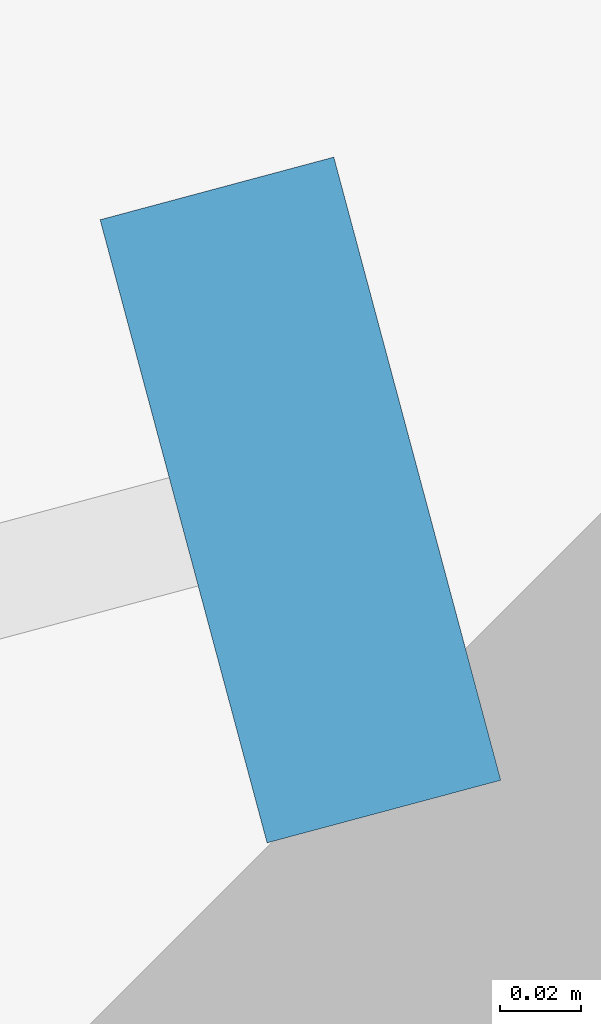
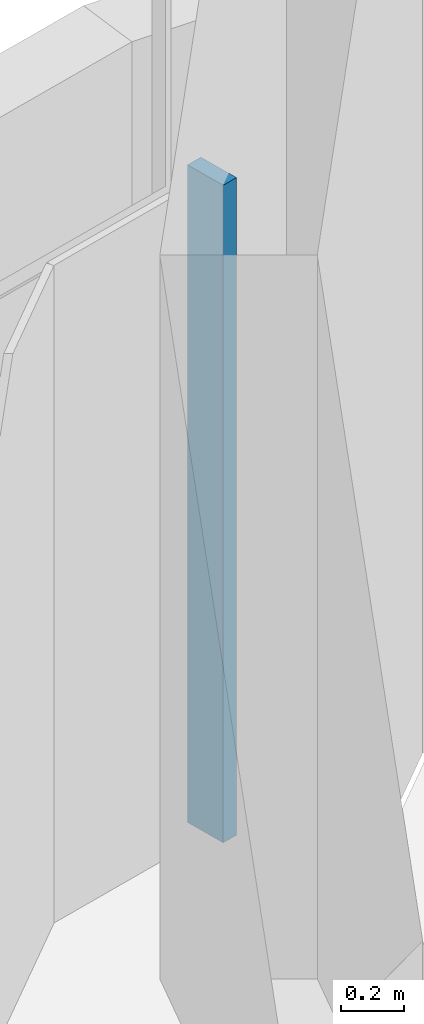
# One storey, part 4 of 12: 1 member, 1 element without a shape of its own.
"""IFC4 building model written with IfcOpenShell, lengths in metres."""

from ifc_helpers import new_model, si_unit, direction, frame, origin, place, context, subcontext, project, spatial, polyline, outline, extrude, source, transform, mapped, material, type_object, element, aggregate, save


model = new_model("IFC4")

# Units and contexts
model_context = context("Model", 3, precision=1e-05, world=origin(), true_north=direction((0.0, 1.0)))
body_context = subcontext(model_context, "Body", "Model", "MODEL_VIEW")
ifc_project = project(units=[si_unit("LENGTHUNIT", "METRE"), si_unit("AREAUNIT", "SQUARE_METRE"), si_unit("VOLUMEUNIT", "CUBIC_METRE"), si_unit("PLANEANGLEUNIT", "RADIAN"), si_unit("MASSUNIT", "GRAM", prefix="KILO")], contexts=[model_context])

# Site, building, storey
site_placement = place(None, origin())
site = spatial("IfcSite", under=ifc_project, at=site_placement, CompositionType="ELEMENT")
building_placement = place(site_placement, origin())
building = spatial("IfcBuilding", under=site, at=building_placement, Name="Zarbagh Exchange Tower", CompositionType="ELEMENT")
storey_placement = place(building_placement, frame((0.0, 0.0, 309.60009765625)))
storey = spatial("IfcBuildingStorey", under=building, at=storey_placement, Name="L76", CompositionType="ELEMENT", Elevation=309.60009765625)

# Curtain wall, member
ifc_material_1 = material(Name="Anodised aluminium frame and glazing", Category="aluminium")
curtain_wall_type = type_object("IfcCurtainWallType", Name="CWF Crown tier glazing", PredefinedType="NOTDEFINED", material=ifc_material_1)
curtain_wall_placement = place(storey_placement, origin())
curtain_wall = element("IfcCurtainWall", 1, at=curtain_wall_placement, inside=storey, type_object=curtain_wall_type, Name="CWF24 curtain wall", PredefinedType="NOTDEFINED")
ifc_material_2 = material(Name="Anodised aluminium frame", Category="aluminium")
member_type = type_object("IfcMemberType", Name="MUF Mullion, anodised aluminium frame", PredefinedType="MULLION", material=ifc_material_2)
shared_shape = source(origin(), body_context, "Body", "SweptSolid", [
    extrude(outline(polyline([(0.0, -0.080078125), (0.06005859375, -0.080078125), (0.06005859375, 0.080078125), (0.0, 0.080078125), (0.0, -0.080078125)])), origin(), (0.0, 0.0, 1.0), 2.550048828125),
])
member_placement = place(storey_placement, origin())
member = element("IfcMember", 2, at=member_placement, type_object=member_type, Name="CWF24 mullion 1.1", PredefinedType="MULLION", context=body_context, shape_type="MappedRepresentation", body=[
    mapped(shared_shape, transform((-3.510009765625, 28.394775390625, 0.0), x_axis=(-0.965924289636, -0.258824779902, 0.0), y_axis=(0.258824779902, -0.965924289636, 0.0), z_axis=(0.0, 0.0, 1.0))),
])
aggregate(curtain_wall, [member])

save(model, "model.ifc")
